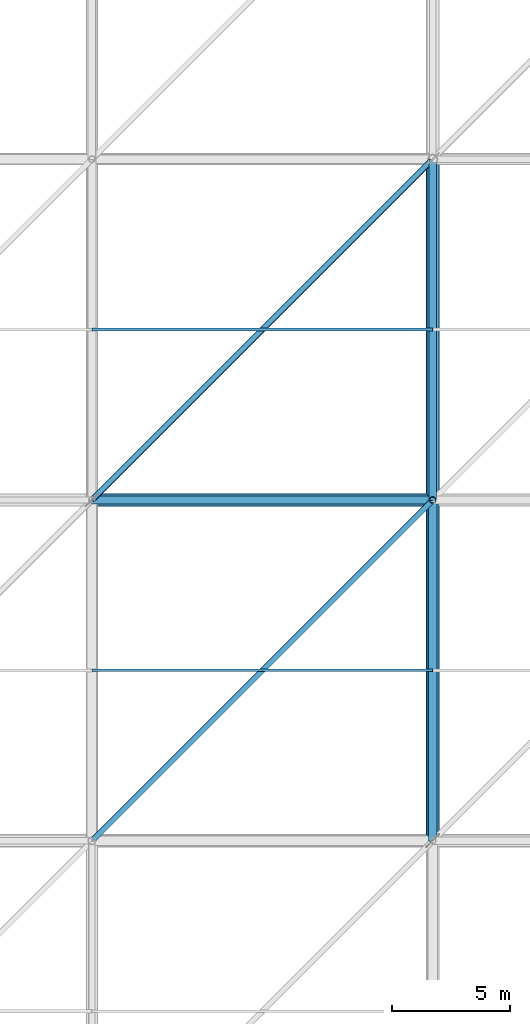
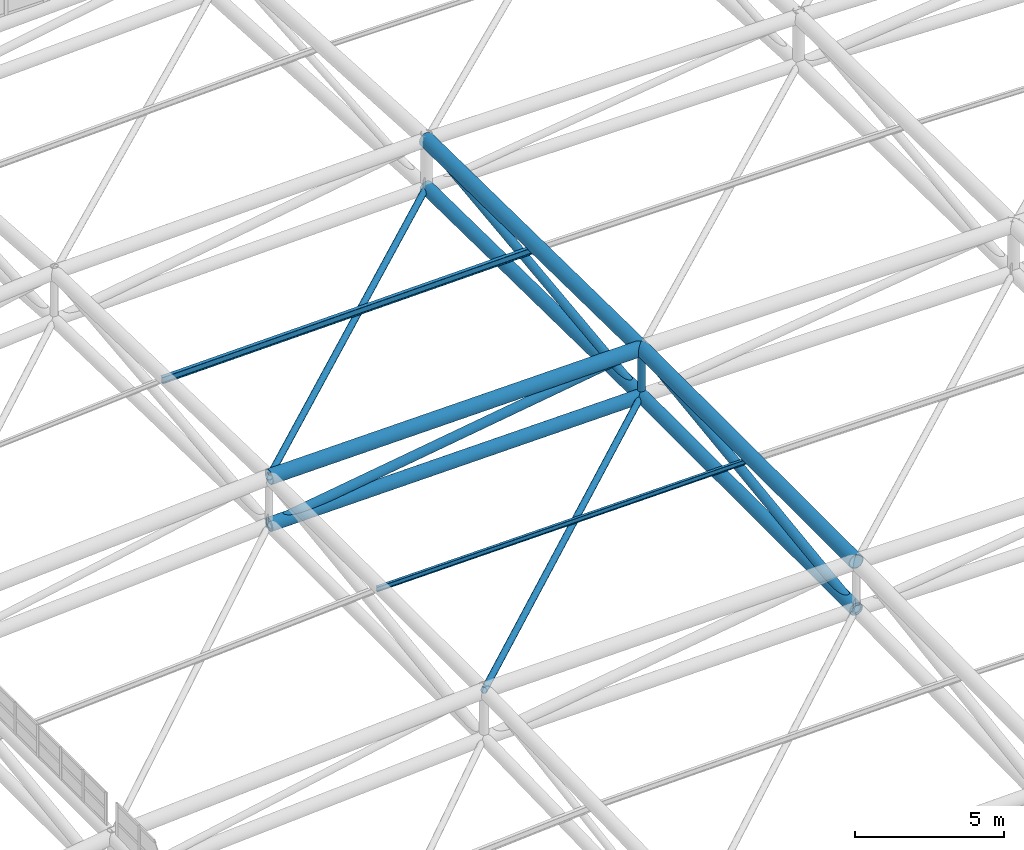
# One storey, part 205 of 397: 8 members, 6 beams.
"""IFC4 building model written with IfcOpenShell, lengths in metres."""

from ifc_helpers import new_model, si_unit, direction, frame, origin, origin_2d, place, context, subcontext, project, spatial, hollow_circle, i_section, extrude, material, material_profile, profile_set, type_object, element, save


model = new_model("IFC4")

# Units and contexts
model_context = context("Model", 3, precision=1e-05, world=origin(), true_north=direction((0.0, 1.0)))
body_context = subcontext(model_context, "Body", "Model", "MODEL_VIEW")
ifc_project = project(units=[si_unit("LENGTHUNIT", "METRE"), si_unit("AREAUNIT", "SQUARE_METRE"), si_unit("VOLUMEUNIT", "CUBIC_METRE"), si_unit("PLANEANGLEUNIT", "RADIAN"), si_unit("MASSUNIT", "GRAM", prefix="KILO")], contexts=[model_context])

# Site, building, storey
site_placement = place(None, origin())
site = spatial("IfcSite", under=ifc_project, at=site_placement, CompositionType="ELEMENT")
building_placement = place(site_placement, origin())
building = spatial("IfcBuilding", under=site, at=building_placement, Name="Qandorah Velis Arena", CompositionType="ELEMENT")
storey_placement = place(building_placement, frame((0.0, 0.0, 27.5)))
storey = spatial("IfcBuildingStorey", under=building, at=storey_placement, Name="RF", CompositionType="ELEMENT", Elevation=27.5)

# Members
ifc_material = material(Name="Steel S355", Category="steel")
ifc_material_profile_1 = material_profile(ifc_material, i_section(OverallWidth=0.10009765625, OverallDepth=0.199951171875, WebThickness=0.005615234375, FlangeThickness=0.008544921875, FilletRadius=0.011962890625, at=origin_2d()), Name="IPE 200")
ifc_profile_set_1 = profile_set([ifc_material_profile_1], Name="Steel S355")
member_type_1 = type_object("IfcMemberType", Name="STR-PRL-IPE200", PredefinedType="PURLIN", material=ifc_profile_set_1)
member_1_placement = place(storey_placement, frame((43.199951171875, 64.800048828125, 10.12890625), z_axis=(0.999869224064, 0.0, 0.016172036684), x_axis=(0.0, 1.0, 0.0)))
element("IfcMember", 1, at=member_1_placement, inside=storey, type_object=member_type_1, Name="Arena roof purlin PRL-2.3", PredefinedType="PURLIN", context=body_context, shape_type="SweptSolid", body=[
    extrude(i_section(OverallWidth=0.10009765625, OverallDepth=0.199951171875, WebThickness=0.005615234375, FlangeThickness=0.008544921875, FilletRadius=0.011962890625, at=origin_2d()), origin(), (0.0, 0.0, 1.0), 14.402099609375),
])
ifc_material_profile_2 = material_profile(ifc_material, i_section(OverallWidth=0.135009765625, OverallDepth=0.27001953125, WebThickness=0.006591796875, FlangeThickness=0.01025390625, FilletRadius=0.014892578125, at=origin_2d()), Name="IPE 270")
ifc_profile_set_2 = profile_set([ifc_material_profile_2], Name="Steel S355")
member_type_2 = type_object("IfcMemberType", Name="STR-PRL-IPE270", PredefinedType="PURLIN", material=ifc_profile_set_2)
member_2_placement = place(storey_placement, frame((43.199951171875, 79.199951171875, 9.948974609375), z_axis=(0.999770458675, 0.0, 0.021424984483), x_axis=(0.0, 1.0, 0.0)))
element("IfcMember", 2, at=member_2_placement, inside=storey, type_object=member_type_2, Name="Arena roof purlin PRL-2.4", PredefinedType="PURLIN", context=body_context, shape_type="SweptSolid", body=[
    extrude(i_section(OverallWidth=0.135009765625, OverallDepth=0.27001953125, WebThickness=0.006591796875, FlangeThickness=0.01025390625, FilletRadius=0.014892578125, at=origin_2d()), origin(), (0.0, 0.0, 1.0), 14.403564453125),
])

# Beams
ifc_material_profile_3 = material_profile(ifc_material, hollow_circle(Radius=0.25390625, WallThickness=0.02490234375, at=origin_2d()), Name="CHS 508x25")
ifc_profile_set_3 = profile_set([ifc_material_profile_3], Name="Steel S355")
beam_type_1 = type_object("IfcBeamType", Name="STR-SFC-CHS508X25", PredefinedType="USERDEFINED", material=ifc_profile_set_3)
beam_1_placement = place(storey_placement, frame((57.60009765625, 57.60009765625, 8.6318359375), z_axis=(0.0, 1.0, 0.0), x_axis=(-1.0, 0.0, 0.0)))
element("IfcBeam", 3, at=beam_1_placement, inside=storey, type_object=beam_type_1, Name="Space frame roof truss bottom chord Y 3.3", ObjectType="ROOF TRUSS", PredefinedType="USERDEFINED", context=body_context, shape_type="SweptSolid", body=[
    extrude(hollow_circle(Radius=0.25390625, WallThickness=0.02490234375, at=origin_2d()), origin(), (0.0, 0.0, 1.0), 14.39990234375),
])
beam_2_placement = place(storey_placement, frame((57.60009765625, 72.0, 8.6318359375), z_axis=(0.0, 0.99989519585, -0.014477476133), x_axis=(-1.0, 0.0, 0.0)))
element("IfcBeam", 4, at=beam_2_placement, inside=storey, type_object=beam_type_1, Name="Space frame roof truss bottom chord Y 3.4", ObjectType="ROOF TRUSS", PredefinedType="USERDEFINED", context=body_context, shape_type="SweptSolid", body=[
    extrude(hollow_circle(Radius=0.25390625, WallThickness=0.02490234375, at=origin_2d()), origin(), (0.0, 0.0, 1.0), 14.4013671875),
])
beam_3_placement = place(storey_placement, frame((43.199951171875, 72.0, 8.39892578125), z_axis=(0.999869224064, 0.0, 0.016172036684), x_axis=(0.0, 1.0, 0.0)))
element("IfcBeam", 5, at=beam_3_placement, inside=storey, type_object=beam_type_1, Name="Space frame roof truss bottom chord X 2.4", ObjectType="ROOF TRUSS", PredefinedType="USERDEFINED", context=body_context, shape_type="SweptSolid", body=[
    extrude(hollow_circle(Radius=0.25390625, WallThickness=0.02490234375, at=origin_2d()), origin(), (0.0, 0.0, 1.0), 14.402099609375),
])
ifc_material_profile_4 = material_profile(ifc_material, hollow_circle(Radius=0.279541015625, WallThickness=0.02490234375, at=origin_2d()), Name="CHS 559x25")
ifc_profile_set_4 = profile_set([ifc_material_profile_4], Name="Steel S355")
beam_type_2 = type_object("IfcBeamType", Name="STR-SFC-CHS559X25", PredefinedType="USERDEFINED", material=ifc_profile_set_4)
beam_4_placement = place(storey_placement, frame((57.60009765625, 57.60009765625, 10.581787109375), z_axis=(0.0, 1.0, 0.0), x_axis=(-1.0, 0.0, 0.0)))
element("IfcBeam", 6, at=beam_4_placement, inside=storey, type_object=beam_type_2, Name="Space frame roof truss top chord Y 3.3", ObjectType="ROOF TRUSS", PredefinedType="USERDEFINED", context=body_context, shape_type="SweptSolid", body=[
    extrude(hollow_circle(Radius=0.279541015625, WallThickness=0.02490234375, at=origin_2d()), origin(), (0.0, 0.0, 1.0), 14.39990234375),
])
beam_5_placement = place(storey_placement, frame((57.60009765625, 72.0, 10.581787109375), z_axis=(0.0, 0.99989519585, -0.014477476133), x_axis=(-1.0, 0.0, 0.0)))
element("IfcBeam", 7, at=beam_5_placement, inside=storey, type_object=beam_type_2, Name="Space frame roof truss top chord Y 3.4", ObjectType="ROOF TRUSS", PredefinedType="USERDEFINED", context=body_context, shape_type="SweptSolid", body=[
    extrude(hollow_circle(Radius=0.279541015625, WallThickness=0.02490234375, at=origin_2d()), origin(), (0.0, 0.0, 1.0), 14.4013671875),
])
beam_6_placement = place(storey_placement, frame((43.199951171875, 72.0, 10.34912109375), z_axis=(0.99986949803, 0.0, 0.016155089291), x_axis=(0.0, 1.0, 0.0)))
element("IfcBeam", 8, at=beam_6_placement, inside=storey, type_object=beam_type_2, Name="Space frame roof truss top chord X 2.4", ObjectType="ROOF TRUSS", PredefinedType="USERDEFINED", context=body_context, shape_type="SweptSolid", body=[
    extrude(hollow_circle(Radius=0.279541015625, WallThickness=0.02490234375, at=origin_2d()), origin(), (0.0, 0.0, 1.0), 14.402099609375),
])

# Members
ifc_material_profile_5 = material_profile(ifc_material, hollow_circle(Radius=0.122314453125, WallThickness=0.012451171875, at=origin_2d()), Name="CHS 244.5x12.5")
ifc_profile_set_5 = profile_set([ifc_material_profile_5], Name="Steel S355")
member_type_3 = type_object("IfcMemberType", Name="STR-SFD-CHS244X12", PredefinedType="STRUT", material=ifc_profile_set_5)
member_3_placement = place(storey_placement, frame((57.60009765625, 72.0, 8.6318359375), z_axis=(-0.704611978634, -0.704600032616, 0.084028290486), x_axis=(0.707100786953, -0.707112775369, 0.0)))
element("IfcMember", 9, at=member_3_placement, inside=storey, type_object=member_type_3, Name="Space frame roof spatial diagonal 2.3", PredefinedType="STRUT", context=body_context, shape_type="SweptSolid", body=[
    extrude(hollow_circle(Radius=0.122314453125, WallThickness=0.012451171875, at=origin_2d()), origin(), (0.0, 0.0, 1.0), 20.43701171875),
])
member_4_placement = place(storey_placement, frame((57.60009765625, 86.39990234375, 8.42333984375), z_axis=(-0.703972156285, -0.703960221114, 0.094144624193), x_axis=(0.707100786953, -0.707112775369, 0.0)))
element("IfcMember", 10, at=member_4_placement, inside=storey, type_object=member_type_3, Name="Space frame roof spatial diagonal 2.4", PredefinedType="STRUT", context=body_context, shape_type="SweptSolid", body=[
    extrude(hollow_circle(Radius=0.122314453125, WallThickness=0.012451171875, at=origin_2d()), origin(), (0.0, 0.0, 1.0), 20.45556640625),
])
ifc_material_profile_6 = material_profile(ifc_material, hollow_circle(Radius=0.136474609375, WallThickness=0.010009765625, at=origin_2d()), Name="CHS 273x10")
ifc_profile_set_6 = profile_set([ifc_material_profile_6], Name="Steel S355")
member_type_4 = type_object("IfcMemberType", Name="STR-SFD-CHS273X10", PredefinedType="STRUT", material=ifc_profile_set_6)
member_5_placement = place(storey_placement, frame((57.60009765625, 72.0, 8.6318359375), z_axis=(0.0, 0.0, 1.0), x_axis=(1.0, 0.0, 0.0)))
element("IfcMember", 11, at=member_5_placement, inside=storey, type_object=member_type_4, Name="Space frame roof vertical post 3.4", PredefinedType="STRUT", context=body_context, shape_type="SweptSolid", body=[
    extrude(hollow_circle(Radius=0.136474609375, WallThickness=0.010009765625, at=origin_2d()), origin(), (0.0, 0.0, 1.0), 2.2099609375),
])
ifc_material_profile_7 = material_profile(ifc_material, hollow_circle(Radius=0.161865234375, WallThickness=0.01611328125, at=origin_2d()), Name="CHS 323.9x16")
ifc_profile_set_7 = profile_set([ifc_material_profile_7], Name="Steel S355")
member_type_5 = type_object("IfcMemberType", Name="STR-SFD-CHS323X16", PredefinedType="CHORD", material=ifc_profile_set_7)
member_6_placement = place(storey_placement, frame((57.60009765625, 72.0, 8.6318359375), z_axis=(0.0, 0.992766585892, 0.120060426184), x_axis=(-1.0, 0.0, 0.0)))
element("IfcMember", 12, at=member_6_placement, inside=storey, type_object=member_type_5, Name="Space frame roof diagonal Y 3.4", PredefinedType="CHORD", context=body_context, shape_type="SweptSolid", body=[
    extrude(hollow_circle(Radius=0.161865234375, WallThickness=0.01611328125, at=origin_2d()), origin(), (0.0, 0.0, 1.0), 14.5048828125),
])
ifc_material_profile_8 = material_profile(ifc_material, hollow_circle(Radius=0.177734375, WallThickness=0.01611328125, at=origin_2d()), Name="CHS 355.6x16")
ifc_profile_set_8 = profile_set([ifc_material_profile_8], Name="Steel S355")
member_type_6 = type_object("IfcMemberType", Name="STR-SFD-CHS355X16", PredefinedType="STRUT", material=ifc_profile_set_8)
member_7_placement = place(storey_placement, frame((43.199951171875, 72.0, 8.39892578125), z_axis=(0.988705119305, 0.0, 0.149873903866), x_axis=(0.0, 1.0, 0.0)))
element("IfcMember", 13, at=member_7_placement, inside=storey, type_object=member_type_6, Name="Space frame roof diagonal X 2.4", PredefinedType="STRUT", context=body_context, shape_type="SweptSolid", body=[
    extrude(hollow_circle(Radius=0.177734375, WallThickness=0.01611328125, at=origin_2d()), origin(), (0.0, 0.0, 1.0), 14.564697265625),
])
member_8_placement = place(storey_placement, frame((57.60009765625, 57.60009765625, 8.6318359375), z_axis=(0.0, 0.990955693773, 0.134189466721), x_axis=(-1.0, 0.0, 0.0)))
element("IfcMember", 14, at=member_8_placement, inside=storey, type_object=member_type_6, Name="Space frame roof diagonal Y 3.3", PredefinedType="STRUT", context=body_context, shape_type="SweptSolid", body=[
    extrude(hollow_circle(Radius=0.177734375, WallThickness=0.01611328125, at=origin_2d()), origin(), (0.0, 0.0, 1.0), 14.53125),
])

save(model, "model.ifc")
